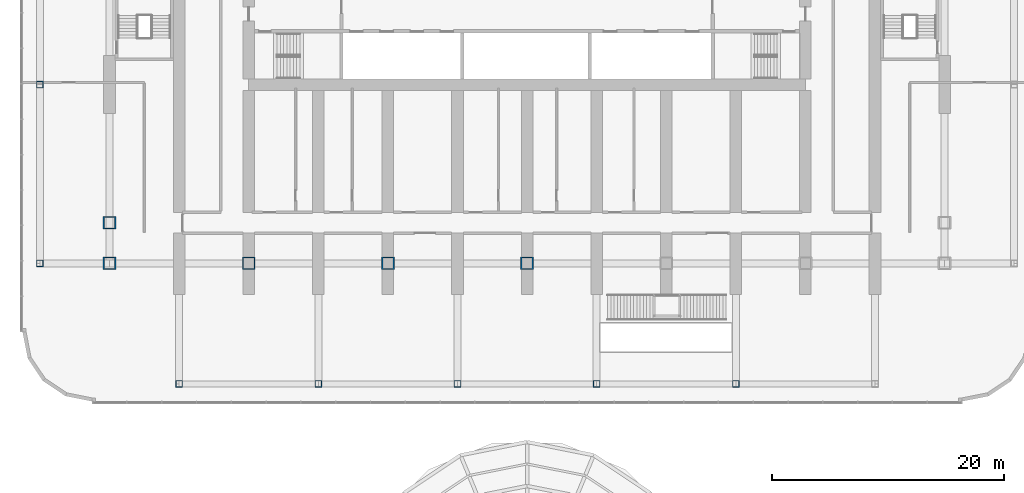
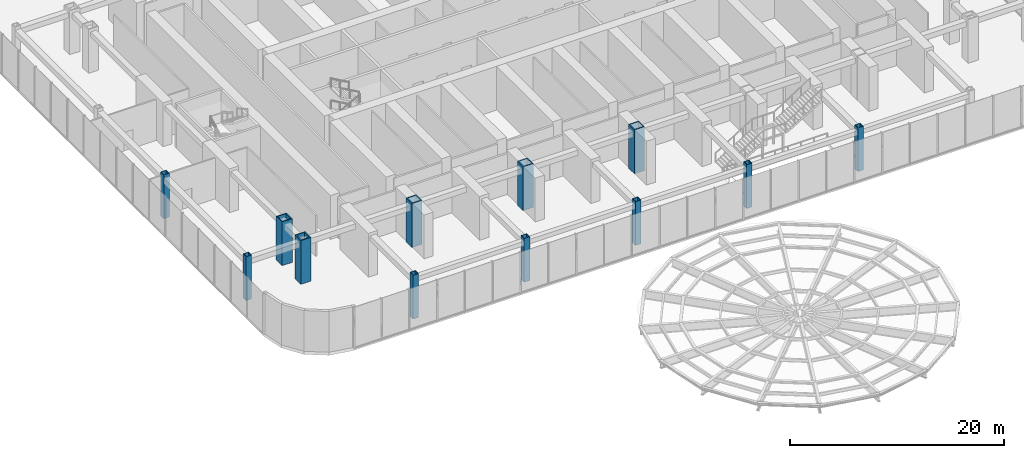
# One storey, part 1 of 37: 12 columns.
"""IFC4 building model written with IfcOpenShell, lengths in metres."""

from ifc_helpers import new_model, si_unit, direction, frame, origin, origin_2d, place, context, subcontext, project, spatial, hollow_rectangle, extrude, material, material_profile, profile_set, type_object, element, save


model = new_model("IFC4")

# Units and contexts
model_context = context("Model", 3, precision=1e-05, world=origin(), true_north=direction((0.0, 1.0)))
body_context = subcontext(model_context, "Body", "Model", "MODEL_VIEW")
ifc_project = project(units=[si_unit("LENGTHUNIT", "METRE"), si_unit("AREAUNIT", "SQUARE_METRE"), si_unit("VOLUMEUNIT", "CUBIC_METRE"), si_unit("PLANEANGLEUNIT", "RADIAN"), si_unit("MASSUNIT", "GRAM", prefix="KILO")], contexts=[model_context])

# Site, building, storey
site_placement = place(None, origin())
site = spatial("IfcSite", under=ifc_project, at=site_placement, CompositionType="ELEMENT")
building_placement = place(site_placement, origin())
building = spatial("IfcBuilding", under=site, at=building_placement, Name="Orbita Commons", CompositionType="ELEMENT")
storey_placement = place(building_placement, frame((0.0, 0.0, 6.0)))
storey = spatial("IfcBuildingStorey", under=building, at=storey_placement, Name="L01", CompositionType="ELEMENT", Elevation=6.0)

# Columns
ifc_material_1 = material(Name="Steel ASTM A572 Gr 42 welded plate", Category="steel")
ifc_material_profile_1 = material_profile(ifc_material_1, hollow_rectangle(XDim=1.10009765625, YDim=1.10009765625, WallThickness=0.110107421875, at=origin_2d()), Name="BOX 1100x1100x110")
ifc_profile_set_1 = profile_set([ifc_material_profile_1], Name="Steel ASTM A572 Gr 42 welded plate")
column_type_1 = type_object("IfcColumnType", Name="Steel column BOX 1100x1100x110", PredefinedType="COLUMN", material=ifc_profile_set_1)
for number, where, z_axis, x_axis, name in (
    (1, (6.0, 10.39990234375, 0.0), (0.0, 0.0, 1.0), (1.0, 0.0, 0.0), "Column 2/B L01"),
    (2, (18.0, 10.39990234375, 0.0), (0.0, 0.0, 1.0), (1.0, 0.0, 0.0), "Column 4/B L01"),
    (3, (30.0, 10.39990234375, 0.0), (0.0, 0.0, 1.0), (1.0, 0.0, 0.0), "Column 6/B L01"),
    (4, (42.0, 10.39990234375, 0.0), (0.0, 0.0, 1.0), (1.0, 0.0, 0.0), "Column 8/B L01"),
    (5, (6.0, 13.89990234375, 0.0), (0.0, 0.0, 1.0), (1.0, 0.0, 0.0), "Column 2/13.9 L01"),
):
    element("IfcColumn", number, at=place(storey_placement, frame(where, z_axis=z_axis, x_axis=x_axis)), inside=storey, type_object=column_type_1, Name=name, PredefinedType="COLUMN", context=body_context, shape_type="SweptSolid", body=[
        extrude(hollow_rectangle(XDim=1.10009765625, YDim=1.10009765625, WallThickness=0.110107421875, at=origin_2d()), origin(), (0.0, 0.0, 1.0), 5.0),
    ])
ifc_material_2 = material(Name="Steel ASTM A572 Gr 50 welded plate", Category="steel")
ifc_material_profile_2 = material_profile(ifc_material_2, hollow_rectangle(XDim=0.60009765625, YDim=0.60009765625, WallThickness=0.06005859375, at=origin_2d()), Name="BOX 600x600x60")
ifc_profile_set_2 = profile_set([ifc_material_profile_2], Name="Steel ASTM A572 Gr 50 welded plate")
column_type_2 = type_object("IfcColumnType", Name="Steel column BOX 600x600x60", PredefinedType="COLUMN", material=ifc_profile_set_2)
for number, where, z_axis, x_axis, name in (
    (6, (12.0, 0.0, 0.0), (0.0, 0.0, 1.0), (1.0, 0.0, 0.0), "Column 3/A L01"),
    (7, (24.0, 0.0, 0.0), (0.0, 0.0, 1.0), (1.0, 0.0, 0.0), "Column 5/A L01"),
    (8, (36.0, 0.0, 0.0), (0.0, 0.0, 1.0), (1.0, 0.0, 0.0), "Column 7/A L01"),
    (9, (48.0, 0.0, 0.0), (0.0, 0.0, 1.0), (1.0, 0.0, 0.0), "Column 9/A L01"),
    (10, (60.0, 0.0, 0.0), (0.0, 0.0, 1.0), (1.0, 0.0, 0.0), "Column 11/A L01"),
    (11, (0.0, 10.39990234375, 0.0), (0.0, 0.0, 1.0), (1.0, 0.0, 0.0), "Column 1/B L01"),
    (12, (0.0, 25.800048828125, 0.0), (0.0, 0.0, 1.0), (1.0, 0.0, 0.0), "Column 1/C L01"),
):
    element("IfcColumn", number, at=place(storey_placement, frame(where, z_axis=z_axis, x_axis=x_axis)), inside=storey, type_object=column_type_2, Name=name, PredefinedType="COLUMN", context=body_context, shape_type="SweptSolid", body=[
        extrude(hollow_rectangle(XDim=0.60009765625, YDim=0.60009765625, WallThickness=0.06005859375, at=origin_2d()), origin(), (0.0, 0.0, 1.0), 5.0),
    ])

save(model, "model.ifc")
